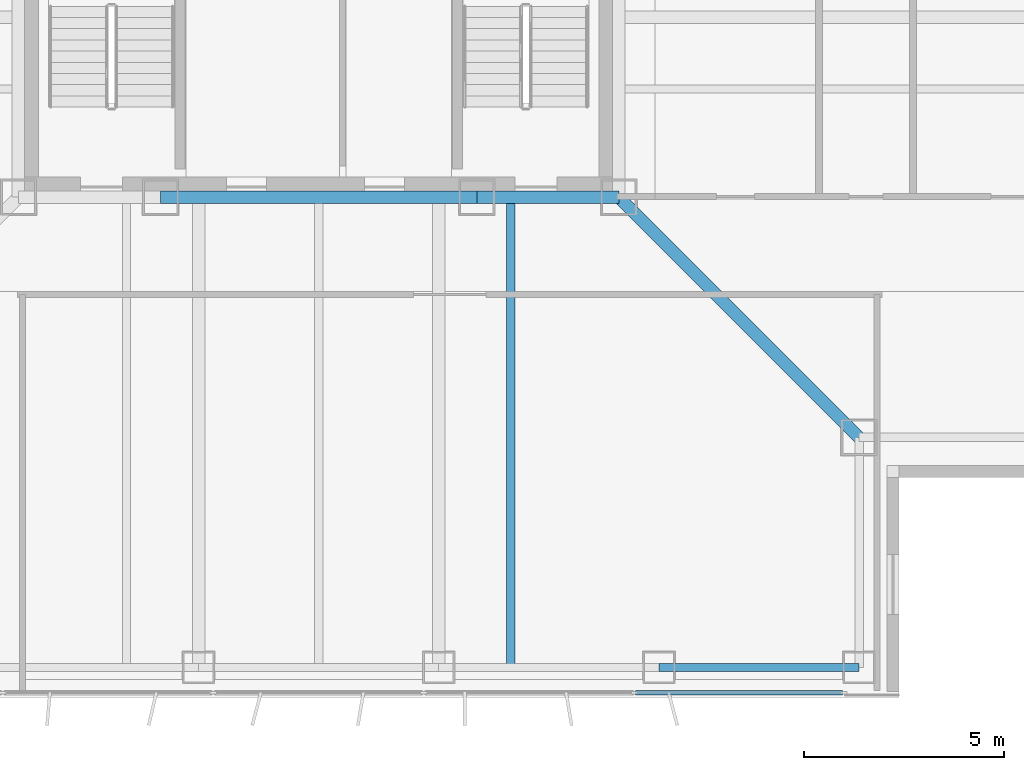
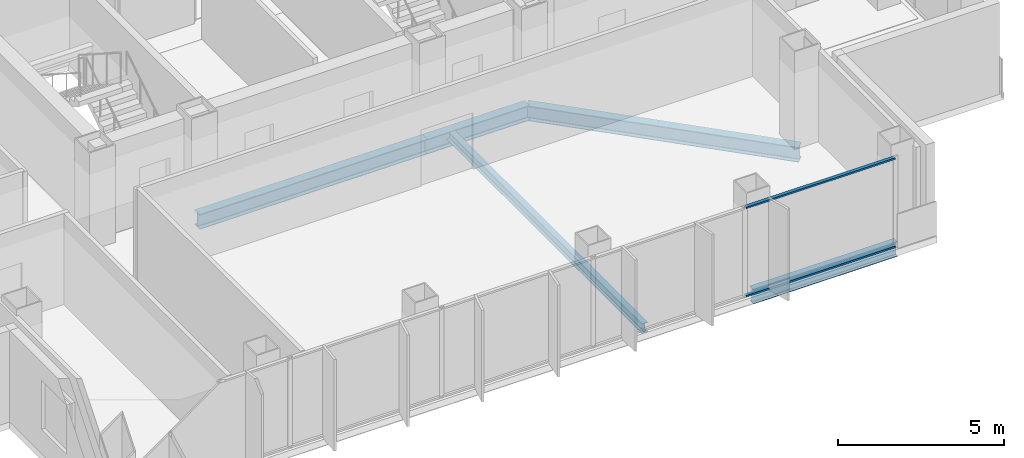
# One storey, part 3 of 17: 5 beams, 2 members, 1 element without a shape of its own.
"""IFC4 building model written with IfcOpenShell, lengths in metres."""

from ifc_helpers import new_model, si_unit, direction, frame, origin, origin_2d, place, context, subcontext, project, spatial, rectangle, i_section, extrude, material, layer, layer_set, material_profile, profile_set, type_object, element, aggregate, save


model = new_model("IFC4")

# Units and contexts
model_context = context("Model", 3, precision=1e-05, world=origin(), true_north=direction((0.0, 1.0)))
body_context = subcontext(model_context, "Body", "Model", "MODEL_VIEW")
ifc_project = project(units=[si_unit("LENGTHUNIT", "METRE"), si_unit("AREAUNIT", "SQUARE_METRE"), si_unit("VOLUMEUNIT", "CUBIC_METRE"), si_unit("PLANEANGLEUNIT", "RADIAN"), si_unit("MASSUNIT", "GRAM", prefix="KILO")], contexts=[model_context])

# Site, building, storey
site_placement = place(None, origin())
site = spatial("IfcSite", under=ifc_project, at=site_placement, CompositionType="ELEMENT")
building_placement = place(site_placement, origin())
building = spatial("IfcBuilding", under=site, at=building_placement, Name="Trevonay Congress Spire", CompositionType="ELEMENT")
storey_placement = place(building_placement, frame((0.0, 0.0, 184.199951171875)))
storey = spatial("IfcBuildingStorey", under=building, at=storey_placement, Name="L47", CompositionType="ELEMENT", Elevation=184.199951171875)

# Beams
ifc_material_1 = material(Name="Steel ASTM A572 Grade 50", Category="steel")
ifc_material_profile_1 = material_profile(ifc_material_1, i_section(OverallWidth=0.31201171875, OverallDepth=0.54296875, WebThickness=0.0126953125, FlangeThickness=0.020263671875, FilletRadius=0.014892578125, at=origin_2d()), Name="W530x150")
ifc_profile_set_1 = profile_set([ifc_material_profile_1], Name="Steel ASTM A572 Grade 50")
beam_type_1 = type_object("IfcBeamType", Name="BM-GIRD-W530X150", PredefinedType="BEAM", material=ifc_profile_set_1)
beam_1_placement = place(storey_placement, frame((-3.949951171875, -7.5, -0.511474609375), z_axis=(1.0, 0.0, 0.0), x_axis=(0.0, 1.0, 0.0)))
element("IfcBeam", 1, at=beam_1_placement, inside=storey, type_object=beam_type_1, Name="L47 structural beam BM-L47-CR-S2", PredefinedType="BEAM", context=body_context, shape_type="SweptSolid", body=[
    extrude(i_section(OverallWidth=0.31201171875, OverallDepth=0.54296875, WebThickness=0.0126953125, FlangeThickness=0.020263671875, FilletRadius=0.014892578125, at=origin_2d()), origin(), (0.0, 0.0, 1.0), 7.89990234375),
])
beam_2_placement = place(storey_placement, frame((3.949951171875, -7.5, -0.511474609375), z_axis=(1.0, 0.0, 0.0), x_axis=(0.0, 1.0, 0.0)))
element("IfcBeam", 2, at=beam_2_placement, inside=storey, type_object=beam_type_1, Name="L47 structural beam BM-L47-CR-S3", PredefinedType="BEAM", context=body_context, shape_type="SweptSolid", body=[
    extrude(i_section(OverallWidth=0.31201171875, OverallDepth=0.54296875, WebThickness=0.0126953125, FlangeThickness=0.020263671875, FilletRadius=0.014892578125, at=origin_2d()), origin(), (0.0, 0.0, 1.0), 3.550048828125),
])
beam_3_placement = place(storey_placement, frame((7.5, -7.5, -0.511474609375), z_axis=(0.707106781187, -0.707106781187, 0.0), x_axis=(0.707106781187, 0.707106781187, 0.0)))
element("IfcBeam", 3, at=beam_3_placement, inside=storey, type_object=beam_type_1, Name="L47 structural beam BM-L47-CDSE", PredefinedType="BEAM", context=body_context, shape_type="SweptSolid", body=[
    extrude(i_section(OverallWidth=0.31201171875, OverallDepth=0.54296875, WebThickness=0.0126953125, FlangeThickness=0.020263671875, FilletRadius=0.014892578125, at=origin_2d()), origin(), (0.0, 0.0, 1.0), 8.4853515625),
])
ifc_material_profile_2 = material_profile(ifc_material_1, i_section(OverallWidth=0.2119140625, OverallDepth=0.5439453125, WebThickness=0.01318359375, FlangeThickness=0.021240234375, FilletRadius=0.014892578125, at=origin_2d()), Name="W530x123")
ifc_profile_set_2 = profile_set([ifc_material_profile_2], Name="Steel ASTM A572 Grade 50")
beam_type_2 = type_object("IfcBeamType", Name="BM-RING-W530X123", PredefinedType="BEAM", material=ifc_profile_set_2)
beam_4_placement = place(storey_placement, frame((8.5, -19.25, -0.511962890625), z_axis=(1.0, 0.0, 0.0), x_axis=(0.0, 1.0, 0.0)))
element("IfcBeam", 4, at=beam_4_placement, inside=storey, type_object=beam_type_2, Name="L47 structural beam BM-L47-PS5", PredefinedType="BEAM", context=body_context, shape_type="SweptSolid", body=[
    extrude(i_section(OverallWidth=0.2119140625, OverallDepth=0.5439453125, WebThickness=0.01318359375, FlangeThickness=0.021240234375, FilletRadius=0.014892578125, at=origin_2d()), origin(), (0.0, 0.0, 1.0), 5.0),
])

# Curtain wall, members
ifc_material_2 = material(Name="Pale Anodised Aluminium EN AW-6063-T6", Category="aluminium")
ifc_layer = layer(ifc_material_2, 0.169921875, Name="Pale Anodised Aluminium EN AW-6063-T6")
ifc_layer_set = layer_set([ifc_layer], Name="Pale Anodised Aluminium EN AW-6063-T6")
curtain_wall_type = type_object("IfcCurtainWallType", Name="CW-SYS04-CORP-PALE-METAL", PredefinedType="NOTDEFINED", material=ifc_layer_set)
curtain_wall_placement = place(storey_placement, origin())
curtain_wall = element("IfcCurtainWall", 5, at=curtain_wall_placement, inside=storey, type_object=curtain_wall_type, Name="L47 S unitised curtain wall", PredefinedType="NOTDEFINED")
ifc_material_profile_3 = material_profile(ifc_material_2, rectangle(XDim=0.1201171875, YDim=0.06005859375, at=origin_2d()), Name="CW-TRANSOM-120-ALUMINIUM")
ifc_profile_set_3 = profile_set([ifc_material_profile_3], Name="Pale Anodised Aluminium EN AW-6063-T6")
member_type = type_object("IfcMemberType", Name="CW-TRANSOM-120-ALUMINIUM", PredefinedType="USERDEFINED", material=ifc_profile_set_3)
member_1_placement = place(storey_placement, frame((7.919921875, -19.8798828125, 0.06005859375), z_axis=(1.0, 0.0, 0.0), x_axis=(0.0, 1.0, 0.0)))
member_1 = element("IfcMember", 6, at=member_1_placement, type_object=member_type, Name="CW04 transom 5.1", ObjectType="TRANSOM", PredefinedType="USERDEFINED", context=body_context, shape_type="SweptSolid", body=[
    extrude(rectangle(XDim=0.1201171875, YDim=0.06005859375, at=origin_2d()), origin(), (0.0, 0.0, 1.0), 5.170166015625),
])
member_2_placement = place(storey_placement, frame((7.919921875, -19.8798828125, 3.300048828125), z_axis=(1.0, 0.0, 0.0), x_axis=(0.0, 1.0, 0.0)))
member_2 = element("IfcMember", 7, at=member_2_placement, type_object=member_type, Name="CW04 transom 5.2", ObjectType="TRANSOM", PredefinedType="USERDEFINED", context=body_context, shape_type="SweptSolid", body=[
    extrude(rectangle(XDim=0.1201171875, YDim=0.06005859375, at=origin_2d()), origin(), (0.0, 0.0, 1.0), 5.170166015625),
])
aggregate(curtain_wall, [member_1, member_2])

# Beam
ifc_material_profile_4 = material_profile(ifc_material_1, i_section(OverallWidth=0.205078125, OverallDepth=0.35400390625, WebThickness=0.009521484375, FlangeThickness=0.016845703125, FilletRadius=0.011962890625, at=origin_2d()), Name="W360x79")
ifc_profile_set_4 = profile_set([ifc_material_profile_4], Name="Steel ASTM A572 Grade 50")
beam_type_3 = type_object("IfcBeamType", Name="JS-COMP-W360X79", PredefinedType="JOIST", material=ifc_profile_set_4)
beam_5_placement = place(storey_placement, frame((4.800048828125, -19.25, -0.4169921875), z_axis=(0.0, 1.0, 0.0), x_axis=(-1.0, 0.0, 0.0)))
element("IfcBeam", 8, at=beam_5_placement, inside=storey, type_object=beam_type_3, Name="L47 structural beam JS-L47-NS-S3", PredefinedType="JOIST", context=body_context, shape_type="SweptSolid", body=[
    extrude(i_section(OverallWidth=0.205078125, OverallDepth=0.35400390625, WebThickness=0.009521484375, FlangeThickness=0.016845703125, FilletRadius=0.011962890625, at=origin_2d()), origin(), (0.0, 0.0, 1.0), 11.75),
])

save(model, "model.ifc")
